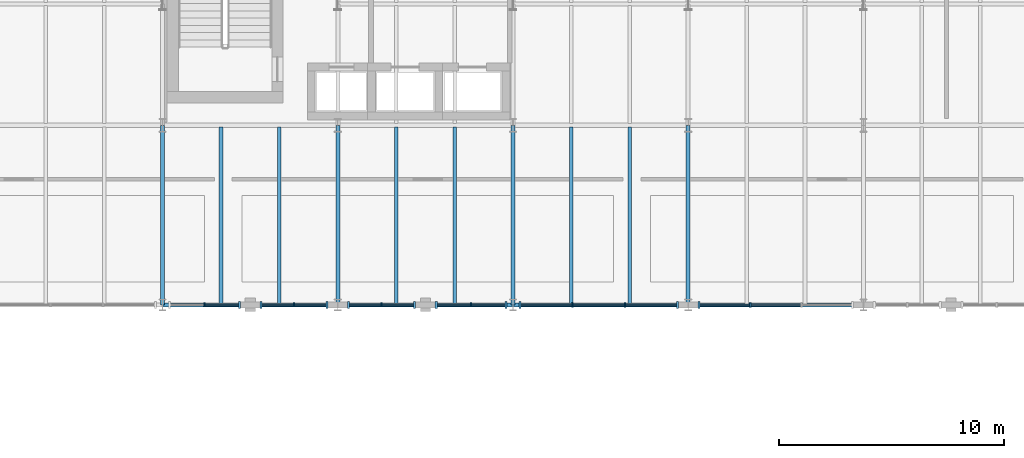
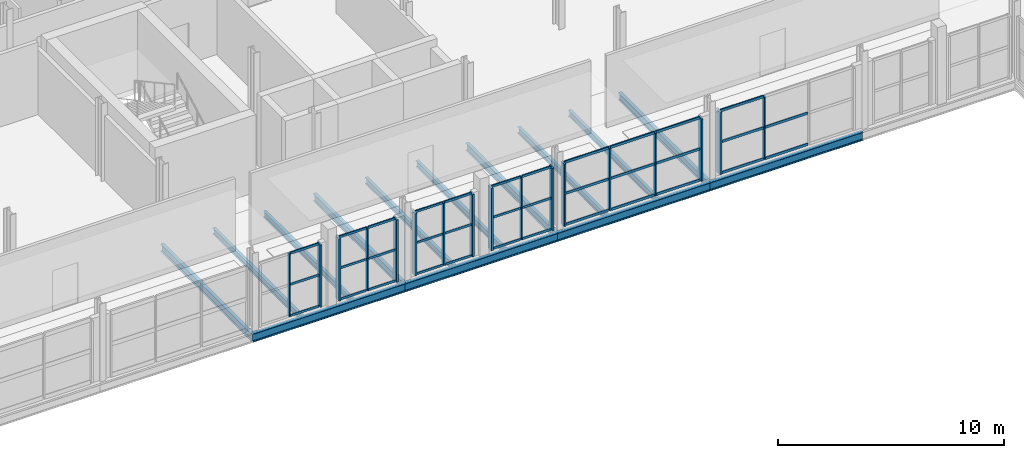
# One storey, part 24 of 58: 52 members, 14 beams, 6 elements without a shape of their own.
"""IFC4 building model written with IfcOpenShell, lengths in metres."""

import ifcopenshell
import ifcopenshell.guid

model = None  # the IFC model being written
_history = None  # IfcOwnerHistory: only IFC2X3 demands one
_inside = {}  # id of a spatial element -> (the spatial element, [elements in it])
_under = {}  # id of a project, library or spatial element -> (it, [spatial elements below it])
_declared = {}  # id of a project -> (the project, [libraries it declares])
_typed = {}  # id of a type object -> (the type object, [elements of that type])
_made_of = {}  # id of a material, layer set ... -> (it, [elements and type objects made of it])


def new_model(schema):
    """Start an empty IFC model of exactly this schema.

    Asked for "IFC4X3", IfcOpenShell would pick the latest addendum, in which some entities
    have other attributes; the version numbers below select the first issue.
    IFC2X3 requires an IfcOwnerHistory on every rooted entity: one is made here for all.
    """
    global model, _history
    if schema == "IFC4X3":
        model = ifcopenshell.file(schema_version=(4, 3, 0, 0))
    else:
        model = ifcopenshell.file(schema=schema)
    _inside.clear()
    _under.clear()
    _declared.clear()
    _typed.clear()
    _made_of.clear()
    _history = None
    if model.schema == "IFC2X3":
        org = make("IfcOrganization", Name="unknown")
        user = make(
            "IfcPersonAndOrganization",
            ThePerson=make("IfcPerson", FamilyName="unknown"),
            TheOrganization=org,
        )
        app = make(
            "IfcApplication",
            ApplicationDeveloper=org,
            Version="unknown",
            ApplicationFullName="unknown",
            ApplicationIdentifier="unknown",
        )
        _history = make(
            "IfcOwnerHistory",
            OwningUser=user,
            OwningApplication=app,
            ChangeAction="ADDED",
            CreationDate=0,
        )
    return model


def make(cls, **values):
    """One entity of the class cls with the attributes given. An attribute that is None is left unset."""
    return model.create_entity(
        cls, **{name: value for name, value in values.items() if value is not None}
    )


def rooted(cls, **values):
    """An entity with a GlobalId (a new one), such as an element, a storey or a relation."""
    return make(cls, GlobalId=ifcopenshell.guid.new(), OwnerHistory=_history, **values)


def si_unit(unit_type, name, prefix=None):
    """IfcSIUnit, for example si_unit("LENGTHUNIT", "METRE", prefix="MILLI")."""
    return make("IfcSIUnit", UnitType=unit_type, Prefix=prefix, Name=name)


def assignment(units):
    """IfcUnitAssignment: the units of a project."""
    return None if units is None else make("IfcUnitAssignment", Units=units)


def point(xyz):
    """IfcCartesianPoint."""
    return None if xyz is None else make("IfcCartesianPoint", Coordinates=xyz)


def direction(xyz):
    """IfcDirection."""
    return None if xyz is None else make("IfcDirection", DirectionRatios=xyz)


def frame(location, z_axis=None, x_axis=None):
    """IfcAxis2Placement3D, a coordinate frame: its origin and axes. An axis left out is left unset."""
    return make(
        "IfcAxis2Placement3D",
        Location=point(location),
        Axis=direction(z_axis),
        RefDirection=direction(x_axis),
    )


def frame_2d(location, x_axis=None):
    """IfcAxis2Placement2D, a coordinate frame in the plane: its origin and x axis."""
    return make(
        "IfcAxis2Placement2D", Location=point(location), RefDirection=direction(x_axis)
    )


def origin():
    """The frame at (0, 0, 0) with its axes left unset."""
    return frame((0.0, 0.0, 0.0))


def origin_2d():
    """The frame at (0, 0) in the plane with its x axis left unset."""
    return frame_2d((0.0, 0.0))


def place(relative_to, where):
    """IfcLocalPlacement: puts the frame where relative to a parent placement (None: the world)."""
    return make(
        "IfcLocalPlacement", PlacementRelTo=relative_to, RelativePlacement=where
    )


def context(
    kind, dimensions, precision=None, world=None, true_north=None, identifier=None
):
    """IfcGeometricRepresentationContext, for example the 3D "Model" context."""
    return make(
        "IfcGeometricRepresentationContext",
        ContextIdentifier=identifier,
        ContextType=kind,
        CoordinateSpaceDimension=dimensions,
        Precision=precision,
        WorldCoordinateSystem=world,
        TrueNorth=true_north,
    )


def subcontext(parent, identifier, kind, view, scale=None):
    """IfcGeometricRepresentationSubContext, for example "Body" below "Model"."""
    return make(
        "IfcGeometricRepresentationSubContext",
        ContextIdentifier=identifier,
        ContextType=kind,
        ParentContext=parent,
        TargetScale=scale,
        TargetView=view,
    )


def project(units=None, contexts=None):
    """IfcProject with its units and contexts."""
    return rooted(
        "IfcProject",
        Name="project",
        RepresentationContexts=contexts,
        UnitsInContext=assignment(units),
    )


def spatial(cls, under=None, at=None, **own):
    """A site, building, storey or space (cls), placed at a placement, below another one or the project."""
    s = rooted(cls, ObjectPlacement=at, **own)
    if under is not None:
        _under.setdefault(under.id(), (under, []))[1].append(s)
    return s


def profile(cls, at=None, kind="AREA", **sizes):
    """A parametric profile (cls). Its sizes go by their IFC names, for example OverallWidth=200.0."""
    return make(cls, ProfileType=kind, Position=at, **sizes)


def rectangle(**sizes):
    """IfcRectangleProfileDef."""
    return profile("IfcRectangleProfileDef", **sizes)


def i_section(**sizes):
    """IfcIShapeProfileDef."""
    return profile("IfcIShapeProfileDef", **sizes)


def extrude(swept, where, along, depth):
    """IfcExtrudedAreaSolid: the profile swept, set in the frame where, extruded along a direction by depth."""
    return make(
        "IfcExtrudedAreaSolid",
        SweptArea=swept,
        Position=where,
        ExtrudedDirection=direction(along),
        Depth=depth,
    )


def shape(context_of_items, identifier, shape_type, items):
    """IfcShapeRepresentation: the items that make up one representation, for example the "Body"."""
    return make(
        "IfcShapeRepresentation",
        ContextOfItems=context_of_items,
        RepresentationIdentifier=identifier,
        RepresentationType=shape_type,
        Items=items,
    )


def material(Name=None, Category=None):
    """IfcMaterial."""
    return make("IfcMaterial", Name=Name, Category=Category)


def layer(
    of_material, thickness, ventilated=None, Name=None, Category=None, Priority=None
):
    """IfcMaterialLayer: one layer of a wall or slab, of a material (None: an air gap)."""
    return make(
        "IfcMaterialLayer",
        Material=of_material,
        LayerThickness=thickness,
        IsVentilated=ventilated,
        Name=Name,
        Category=Category,
        Priority=Priority,
    )


def layer_set(layers, Name=None):
    """IfcMaterialLayerSet."""
    return make("IfcMaterialLayerSet", MaterialLayers=layers, LayerSetName=Name)


def material_profile(
    of_material, cross_section, Name=None, Category=None, Priority=None
):
    """IfcMaterialProfile: a cross section and its material."""
    return make(
        "IfcMaterialProfile",
        Name=Name,
        Material=of_material,
        Profile=cross_section,
        Priority=Priority,
        Category=Category,
    )


def profile_set(profiles, Name=None, composite=None):
    """IfcMaterialProfileSet."""
    return make(
        "IfcMaterialProfileSet",
        Name=Name,
        MaterialProfiles=profiles,
        CompositeProfile=composite,
    )


def made_of(thing, what):
    """Note that an element or type object is made of a material, layer set ...; save() writes the relation."""
    if what is not None:
        _made_of.setdefault(what.id(), (what, []))[1].append(thing)
    return thing


def type_object(cls, material=None, **own):
    """A type object (cls), such as IfcWallType, which elements share."""
    return made_of(rooted(cls, **own), material)


def element(
    cls,
    number,
    at=None,
    inside=None,
    cuts=None,
    type_object=None,
    material=None,
    context=None,
    identifier="Body",
    shape_type=None,
    held_by="IfcProductDefinitionShape",
    body=None,
    shapes=None,
    **own,
):
    """One element of the class cls, such as IfcWall. Its Tag is "e" and its number.

    at: its placement. inside: the storey or other place that contains it. cuts: it is an
    opening in that element (IfcRelVoidsElement). A single representation is given by context,
    identifier, shape_type and body (its items); several are given by shapes. held_by: the class
    of the entity that holds the representations. save() writes the other relations.
    """
    e = rooted(cls, Tag="e%d" % number, ObjectPlacement=at, **own)
    if body is not None:
        shapes = [shape(context, identifier, shape_type, body)]
    if shapes is not None:
        e.Representation = make(held_by, Representations=shapes)
    if inside is not None:
        _inside.setdefault(inside.id(), (inside, []))[1].append(e)
    if cuts is not None:
        rooted(
            "IfcRelVoidsElement", RelatingBuildingElement=cuts, RelatedOpeningElement=e
        )
    if type_object is not None:
        _typed.setdefault(type_object.id(), (type_object, []))[1].append(e)
    return made_of(e, material)


def aggregate(whole, parts):
    """IfcRelAggregates: a whole, such as a stair, and the parts it consists of."""
    return rooted("IfcRelAggregates", RelatingObject=whole, RelatedObjects=parts)


def save(model, path):
    """Write the relations noted so far, then the file.

    IfcRelAggregates (storeys below a building ...), IfcRelContainedInSpatialStructure (elements
    in a storey), IfcRelDefinesByType, IfcRelAssociatesMaterial and IfcRelDeclares: one each for
    every whole, place, type object, material and project.
    """
    for whole, parts in _under.values():
        aggregate(whole, parts)
    for where, things in _inside.values():
        rooted(
            "IfcRelContainedInSpatialStructure",
            RelatedElements=things,
            RelatingStructure=where,
        )
    for kind, things in _typed.values():
        rooted("IfcRelDefinesByType", RelatedObjects=things, RelatingType=kind)
    for what, things in _made_of.values():
        rooted("IfcRelAssociatesMaterial", RelatedObjects=things, RelatingMaterial=what)
    for by, libraries in _declared.values():
        rooted("IfcRelDeclares", RelatingContext=by, RelatedDefinitions=libraries)
    model.write(path)


model = new_model("IFC4")

# Units and contexts
model_context = context("Model", 3, precision=1e-05, world=origin(), true_north=direction((0.0, 1.0)))
body_context = subcontext(model_context, "Body", "Model", "MODEL_VIEW")
ifc_project = project(units=[si_unit("LENGTHUNIT", "METRE"), si_unit("AREAUNIT", "SQUARE_METRE"), si_unit("VOLUMEUNIT", "CUBIC_METRE"), si_unit("PLANEANGLEUNIT", "RADIAN"), si_unit("MASSUNIT", "GRAM", prefix="KILO")], contexts=[model_context])

# Site, building, storey
site_placement = place(None, origin())
site = spatial("IfcSite", under=ifc_project, at=site_placement, CompositionType="ELEMENT")
building_placement = place(site_placement, origin())
building = spatial("IfcBuilding", under=site, at=building_placement, Name="Sefraquen Railside Congress Hotel", CompositionType="ELEMENT")
storey_placement = place(building_placement, frame((0.0, 0.0, 16.199951171875)))
storey = spatial("IfcBuildingStorey", under=building, at=storey_placement, Name="L03", CompositionType="ELEMENT", Elevation=16.199951171875)

# Beams
ifc_material_1 = material(Name="Steel S355JR", Category="steel")
ifc_material_profile_1 = material_profile(ifc_material_1, i_section(OverallWidth=0.179931640625, OverallDepth=0.39990234375, WebThickness=0.008544921875, FlangeThickness=0.013427734375, FilletRadius=0.02099609375, at=origin_2d()), Name="IPE 400")
ifc_profile_set_1 = profile_set([ifc_material_profile_1], Name="Steel S355JR")
beam_type_1 = type_object("IfcBeamType", Name="TB-BM-400I", PredefinedType="BEAM", material=ifc_profile_set_1)
for number, where, z_axis, x_axis, name in (
    (1, (64.199951171875, 88.0, -0.47998046875), (0.0, 1.0, 0.0), (-1.0, 0.0, 0.0), "Floor beam BM-L03-1190"),
    (2, (72.0, 88.0, -0.47998046875), (0.0, 1.0, 0.0), (-1.0, 0.0, 0.0), "Floor beam BM-L03-1194"),
    (3, (79.800048828125, 88.0, -0.47998046875), (0.0, 1.0, 0.0), (-1.0, 0.0, 0.0), "Floor beam BM-L03-1199"),
    (4, (87.60009765625, 88.0, -0.47998046875), (0.0, 1.0, 0.0), (-1.0, 0.0, 0.0), "Floor beam BM-L03-1207"),
):
    element("IfcBeam", number, at=place(storey_placement, frame(where, z_axis=z_axis, x_axis=x_axis)), inside=storey, type_object=beam_type_1, Name=name, PredefinedType="BEAM", context=body_context, shape_type="SweptSolid", body=[
        extrude(i_section(OverallWidth=0.179931640625, OverallDepth=0.39990234375, WebThickness=0.008544921875, FlangeThickness=0.013427734375, FilletRadius=0.02099609375, at=origin_2d()), origin(), (0.0, 0.0, 1.0), 8.0),
    ])
ifc_material_profile_2 = material_profile(ifc_material_1, i_section(OverallWidth=0.18994140625, OverallDepth=0.449951171875, WebThickness=0.009521484375, FlangeThickness=0.0146484375, FilletRadius=0.02099609375, at=origin_2d()), Name="IPE 450")
ifc_profile_set_2 = profile_set([ifc_material_profile_2], Name="Steel S355JR")
beam_type_2 = type_object("IfcBeamType", Name="TB-BM-450", PredefinedType="BEAM", material=ifc_profile_set_2)
for number, where, z_axis, x_axis, name in (
    (5, (64.199951171875, 88.0, -0.5048828125), (1.0, 0.0, 0.0), (0.0, 1.0, 0.0), "Primary girder BM-L03-1062"),
    (6, (72.0, 88.0, -0.5048828125), (1.0, 0.0, 0.0), (0.0, 1.0, 0.0), "Primary girder BM-L03-1063"),
    (7, (79.800048828125, 88.0, -0.5048828125), (1.0, 0.0, 0.0), (0.0, 1.0, 0.0), "Primary girder BM-L03-1064"),
):
    element("IfcBeam", number, at=place(storey_placement, frame(where, z_axis=z_axis, x_axis=x_axis)), inside=storey, type_object=beam_type_2, Name=name, PredefinedType="BEAM", context=body_context, shape_type="SweptSolid", body=[
        extrude(i_section(OverallWidth=0.18994140625, OverallDepth=0.449951171875, WebThickness=0.009521484375, FlangeThickness=0.0146484375, FilletRadius=0.02099609375, at=origin_2d()), origin(), (0.0, 0.0, 1.0), 7.800048828125),
    ])
beam_placement = place(storey_placement, frame((87.60009765625, 88.0, -0.5048828125), z_axis=(1.0, 0.0, 0.0), x_axis=(0.0, 1.0, 0.0)))
element("IfcBeam", 8, at=beam_placement, inside=storey, type_object=beam_type_2, Name="Primary girder BM-L03-1065", PredefinedType="BEAM", context=body_context, shape_type="SweptSolid", body=[
    extrude(i_section(OverallWidth=0.18994140625, OverallDepth=0.449951171875, WebThickness=0.009521484375, FlangeThickness=0.0146484375, FilletRadius=0.02099609375, at=origin_2d()), origin(), (0.0, 0.0, 1.0), 7.7998046875),
])
ifc_material_profile_3 = material_profile(ifc_material_1, i_section(OverallWidth=0.159912109375, OverallDepth=0.330078125, WebThickness=0.007568359375, FlangeThickness=0.011474609375, FilletRadius=0.01806640625, at=origin_2d()), Name="IPE 330")
ifc_profile_set_3 = profile_set([ifc_material_profile_3], Name="Steel S355JR")
beam_type_3 = type_object("IfcBeamType", Name="TB-JST-330", PredefinedType="JOIST", material=ifc_profile_set_3)
for number, where, z_axis, x_axis, name in (
    (9, (66.800048828125, 88.074951171875, -0.445068359375), (0.0, 1.0, 0.0), (-1.0, 0.0, 0.0), "Composite floor joist BM-L03-J0746"),
    (10, (69.39990234375, 88.074951171875, -0.445068359375), (0.0, 1.0, 0.0), (-1.0, 0.0, 0.0), "Composite floor joist BM-L03-J0747"),
    (11, (74.60009765625, 88.074951171875, -0.445068359375), (0.0, 1.0, 0.0), (-1.0, 0.0, 0.0), "Composite floor joist BM-L03-J0750"),
    (12, (77.199951171875, 88.074951171875, -0.445068359375), (0.0, 1.0, 0.0), (-1.0, 0.0, 0.0), "Composite floor joist BM-L03-J0751"),
    (13, (82.39990234375, 88.074951171875, -0.445068359375), (0.0, 1.0, 0.0), (-1.0, 0.0, 0.0), "Composite floor joist BM-L03-J0760"),
    (14, (85.0, 88.074951171875, -0.445068359375), (0.0, 1.0, 0.0), (-1.0, 0.0, 0.0), "Composite floor joist BM-L03-J0761"),
):
    element("IfcBeam", number, at=place(storey_placement, frame(where, z_axis=z_axis, x_axis=x_axis)), inside=storey, type_object=beam_type_3, Name=name, PredefinedType="JOIST", context=body_context, shape_type="SweptSolid", body=[
        extrude(i_section(OverallWidth=0.159912109375, OverallDepth=0.330078125, WebThickness=0.007568359375, FlangeThickness=0.011474609375, FilletRadius=0.01806640625, at=origin_2d()), origin(), (0.0, 0.0, 1.0), 7.85009765625),
    ])

# Curtain wall, member
ifc_material_2 = material(Name="Thermally broken anodised aluminium and low-E double glazing", Category="aluminium")
ifc_layer_1 = layer(ifc_material_2, 0.199951171875)
ifc_layer_set_1 = layer_set([ifc_layer_1], Name="Thermally broken anodised aluminium and low-E double glazing")
curtain_wall_type_1 = type_object("IfcCurtainWallType", Name="TCW-UCW-01", PredefinedType="USERDEFINED", material=ifc_layer_set_1)
curtain_wall_1_placement = place(storey_placement, origin())
curtain_wall_1 = element("IfcCurtainWall", 15, at=curtain_wall_1_placement, inside=storey, type_object=curtain_wall_type_1, Name="Meeting Wing L03 courtyard north curtain wall 2", ObjectType="UNITISED CURTAIN WALL", PredefinedType="USERDEFINED")
ifc_material_3 = material(Name="Thermally broken anodised aluminium 6063-T6", Category="aluminium")
ifc_material_profile_4 = material_profile(ifc_material_3, rectangle(XDim=0.06494140625, YDim=0.179931640625, at=origin_2d()), Name="CWM 65x180")
ifc_profile_set_4 = profile_set([ifc_material_profile_4], Name="Thermally broken anodised aluminium 6063-T6")
member_type_1 = type_object("IfcMemberType", Name="TM-CWM-02", PredefinedType="MULLION", material=ifc_profile_set_4)
member_1_placement = place(storey_placement, frame((66.06494140625, 88.0, 0.0), z_axis=(0.0, 0.0, 1.0), x_axis=(1.0, 0.0, 0.0)))
member_1 = element("IfcMember", 16, at=member_1_placement, type_object=member_type_1, Name="CW-L03-065 mullion 2", PredefinedType="MULLION", context=body_context, shape_type="SweptSolid", body=[
    extrude(rectangle(XDim=0.06494140625, YDim=0.179931640625, at=origin_2d()), origin(), (0.0, 0.0, 1.0), 3.3701171875),
])

curtain_wall_2_placement = place(storey_placement, origin())
curtain_wall_2 = element("IfcCurtainWall", 17, at=curtain_wall_2_placement, inside=storey, type_object=curtain_wall_type_1, Name="Meeting Wing L03 courtyard north curtain wall 2 bay 2", ObjectType="UNITISED CURTAIN WALL", PredefinedType="USERDEFINED")
member_2_placement = place(storey_placement, frame((70.050048828125, 88.0, 0.0), z_axis=(0.0, 0.0, 1.0), x_axis=(1.0, 0.0, 0.0)))
member_2 = element("IfcMember", 18, at=member_2_placement, type_object=member_type_1, Name="CW-L03-065-S2 mullion 2", PredefinedType="MULLION", context=body_context, shape_type="SweptSolid", body=[
    extrude(rectangle(XDim=0.06494140625, YDim=0.179931640625, at=origin_2d()), origin(), (0.0, 0.0, 1.0), 3.3701171875),
])

curtain_wall_3_placement = place(storey_placement, origin())
curtain_wall_3 = element("IfcCurtainWall", 19, at=curtain_wall_3_placement, inside=storey, type_object=curtain_wall_type_1, Name="Meeting Wing L03 courtyard north curtain wall 2 bay 3", ObjectType="UNITISED CURTAIN WALL", PredefinedType="USERDEFINED")
member_3_placement = place(storey_placement, frame((73.949951171875, 88.0, 0.0), z_axis=(0.0, 0.0, 1.0), x_axis=(1.0, 0.0, 0.0)))
member_3 = element("IfcMember", 20, at=member_3_placement, type_object=member_type_1, Name="CW-L03-065-S3 mullion 2", PredefinedType="MULLION", context=body_context, shape_type="SweptSolid", body=[
    extrude(rectangle(XDim=0.06494140625, YDim=0.179931640625, at=origin_2d()), origin(), (0.0, 0.0, 1.0), 3.3701171875),
])

curtain_wall_4_placement = place(storey_placement, origin())
curtain_wall_4 = element("IfcCurtainWall", 21, at=curtain_wall_4_placement, inside=storey, type_object=curtain_wall_type_1, Name="Meeting Wing L03 courtyard north curtain wall 2 bay 4", ObjectType="UNITISED CURTAIN WALL", PredefinedType="USERDEFINED")
member_4_placement = place(storey_placement, frame((77.93505859375, 88.0, 0.0), z_axis=(0.0, 0.0, 1.0), x_axis=(1.0, 0.0, 0.0)))
member_4 = element("IfcMember", 22, at=member_4_placement, type_object=member_type_1, Name="CW-L03-065-S4 mullion 2", PredefinedType="MULLION", context=body_context, shape_type="SweptSolid", body=[
    extrude(rectangle(XDim=0.06494140625, YDim=0.179931640625, at=origin_2d()), origin(), (0.0, 0.0, 1.0), 3.3701171875),
])

# Curtain wall, members
ifc_layer_2 = layer(ifc_material_2, 0.199951171875)
ifc_layer_set_2 = layer_set([ifc_layer_2], Name="Thermally broken anodised aluminium and low-E double glazing")
curtain_wall_type_2 = type_object("IfcCurtainWallType", Name="TCW-UCW-02", PredefinedType="USERDEFINED", material=ifc_layer_set_2)
curtain_wall_5_placement = place(storey_placement, origin())
curtain_wall_5 = element("IfcCurtainWall", 23, at=curtain_wall_5_placement, inside=storey, type_object=curtain_wall_type_2, Name="Meeting Wing L03 courtyard north curtain wall 3", ObjectType="UNITISED CURTAIN WALL", PredefinedType="USERDEFINED")
ifc_material_profile_5 = material_profile(ifc_material_3, rectangle(XDim=0.070068359375, YDim=0.199951171875, at=origin_2d()), Name="CWM 70x200")
ifc_profile_set_5 = profile_set([ifc_material_profile_5], Name="Thermally broken anodised aluminium 6063-T6")
member_type_2 = type_object("IfcMemberType", Name="TM-CWM-03", PredefinedType="MULLION", material=ifc_profile_set_5)
member_5_placement = place(storey_placement, frame((82.44677734375, 88.0, 0.0), z_axis=(0.0, 0.0, 1.0), x_axis=(1.0, 0.0, 0.0)))
member_5 = element("IfcMember", 24, at=member_5_placement, type_object=member_type_2, Name="CW-L03-066 mullion 2", PredefinedType="MULLION", context=body_context, shape_type="SweptSolid", body=[
    extrude(rectangle(XDim=0.070068359375, YDim=0.199951171875, at=origin_2d()), origin(), (0.0, 0.0, 1.0), 3.3701171875),
])
member_6_placement = place(storey_placement, frame((84.783203125, 88.0, 0.0), z_axis=(0.0, 0.0, 1.0), x_axis=(1.0, 0.0, 0.0)))
member_6 = element("IfcMember", 25, at=member_6_placement, type_object=member_type_2, Name="CW-L03-066 mullion 3", PredefinedType="MULLION", context=body_context, shape_type="SweptSolid", body=[
    extrude(rectangle(XDim=0.070068359375, YDim=0.199951171875, at=origin_2d()), origin(), (0.0, 0.0, 1.0), 3.3701171875),
])

# Curtain wall, member
curtain_wall_6_placement = place(storey_placement, origin())
curtain_wall_6 = element("IfcCurtainWall", 26, at=curtain_wall_6_placement, inside=storey, type_object=curtain_wall_type_2, Name="Meeting Wing L03 courtyard north curtain wall 3 bay 2", ObjectType="UNITISED CURTAIN WALL", PredefinedType="USERDEFINED")
member_7_placement = place(storey_placement, frame((90.360107421875, 88.0, 0.0), z_axis=(0.0, 0.0, 1.0), x_axis=(1.0, 0.0, 0.0)))
member_7 = element("IfcMember", 27, at=member_7_placement, type_object=member_type_2, Name="CW-L03-066-S2 mullion 2", PredefinedType="MULLION", context=body_context, shape_type="SweptSolid", body=[
    extrude(rectangle(XDim=0.070068359375, YDim=0.199951171875, at=origin_2d()), origin(), (0.0, 0.0, 1.0), 3.3701171875),
])

# Member
ifc_material_profile_6 = material_profile(ifc_material_3, rectangle(XDim=0.094970703125, YDim=0.300048828125, at=origin_2d()), Name="CWM 95x300")
ifc_profile_set_6 = profile_set([ifc_material_profile_6], Name="Thermally broken anodised aluminium 6063-T6")
member_type_3 = type_object("IfcMemberType", Name="TM-CWM-08", PredefinedType="MULLION", material=ifc_profile_set_6)
member_8_placement = place(storey_placement, frame((67.6201171875, 88.0, 0.0), z_axis=(0.0, 0.0, 1.0), x_axis=(1.0, 0.0, 0.0)))
member_8 = element("IfcMember", 28, at=member_8_placement, type_object=member_type_3, Name="CW-L03-065 mullion 3", PredefinedType="MULLION", context=body_context, shape_type="SweptSolid", body=[
    extrude(rectangle(XDim=0.094970703125, YDim=0.300048828125, at=origin_2d()), origin(), (0.0, 0.0, 1.0), 3.3701171875),
])

member_9_placement = place(storey_placement, frame((68.580078125, 88.0, 0.0), z_axis=(0.0, 0.0, 1.0), x_axis=(1.0, 0.0, 0.0)))
member_9 = element("IfcMember", 29, at=member_9_placement, type_object=member_type_3, Name="CW-L03-065-S2 mullion 1", PredefinedType="MULLION", context=body_context, shape_type="SweptSolid", body=[
    extrude(rectangle(XDim=0.094970703125, YDim=0.300048828125, at=origin_2d()), origin(), (0.0, 0.0, 1.0), 3.3701171875),
])

member_10_placement = place(storey_placement, frame((71.52001953125, 88.0, 0.0), z_axis=(0.0, 0.0, 1.0), x_axis=(1.0, 0.0, 0.0)))
member_10 = element("IfcMember", 30, at=member_10_placement, type_object=member_type_3, Name="CW-L03-065-S2 mullion 3", PredefinedType="MULLION", context=body_context, shape_type="SweptSolid", body=[
    extrude(rectangle(XDim=0.094970703125, YDim=0.300048828125, at=origin_2d()), origin(), (0.0, 0.0, 1.0), 3.3701171875),
])

member_11_placement = place(storey_placement, frame((72.47998046875, 88.0, 0.0), z_axis=(0.0, 0.0, 1.0), x_axis=(1.0, 0.0, 0.0)))
member_11 = element("IfcMember", 31, at=member_11_placement, type_object=member_type_3, Name="CW-L03-065-S3 mullion 1", PredefinedType="MULLION", context=body_context, shape_type="SweptSolid", body=[
    extrude(rectangle(XDim=0.094970703125, YDim=0.300048828125, at=origin_2d()), origin(), (0.0, 0.0, 1.0), 3.3701171875),
])

member_12_placement = place(storey_placement, frame((75.419921875, 88.0, 0.0), z_axis=(0.0, 0.0, 1.0), x_axis=(1.0, 0.0, 0.0)))
member_12 = element("IfcMember", 32, at=member_12_placement, type_object=member_type_3, Name="CW-L03-065-S3 mullion 3", PredefinedType="MULLION", context=body_context, shape_type="SweptSolid", body=[
    extrude(rectangle(XDim=0.094970703125, YDim=0.300048828125, at=origin_2d()), origin(), (0.0, 0.0, 1.0), 3.3701171875),
])

member_13_placement = place(storey_placement, frame((76.3798828125, 88.0, 0.0), z_axis=(0.0, 0.0, 1.0), x_axis=(1.0, 0.0, 0.0)))
member_13 = element("IfcMember", 33, at=member_13_placement, type_object=member_type_3, Name="CW-L03-065-S4 mullion 1", PredefinedType="MULLION", context=body_context, shape_type="SweptSolid", body=[
    extrude(rectangle(XDim=0.094970703125, YDim=0.300048828125, at=origin_2d()), origin(), (0.0, 0.0, 1.0), 3.3701171875),
])

member_14_placement = place(storey_placement, frame((79.489990234375, 88.0, 0.0), z_axis=(0.0, 0.0, 1.0), x_axis=(1.0, 0.0, 0.0)))
member_14 = element("IfcMember", 34, at=member_14_placement, type_object=member_type_3, Name="CW-L03-065-S4 mullion 3", PredefinedType="MULLION", context=body_context, shape_type="SweptSolid", body=[
    extrude(rectangle(XDim=0.094970703125, YDim=0.300048828125, at=origin_2d()), origin(), (0.0, 0.0, 1.0), 3.3701171875),
])

member_15_placement = place(storey_placement, frame((80.110107421875, 88.0, 0.0), z_axis=(0.0, 0.0, 1.0), x_axis=(1.0, 0.0, 0.0)))
member_15 = element("IfcMember", 35, at=member_15_placement, type_object=member_type_3, Name="CW-L03-066 mullion 1", PredefinedType="MULLION", context=body_context, shape_type="SweptSolid", body=[
    extrude(rectangle(XDim=0.094970703125, YDim=0.300048828125, at=origin_2d()), origin(), (0.0, 0.0, 1.0), 3.3701171875),
])

member_16_placement = place(storey_placement, frame((87.1201171875, 88.0, 0.0), z_axis=(0.0, 0.0, 1.0), x_axis=(1.0, 0.0, 0.0)))
member_16 = element("IfcMember", 36, at=member_16_placement, type_object=member_type_3, Name="CW-L03-066 mullion 4", PredefinedType="MULLION", context=body_context, shape_type="SweptSolid", body=[
    extrude(rectangle(XDim=0.094970703125, YDim=0.300048828125, at=origin_2d()), origin(), (0.0, 0.0, 1.0), 3.3701171875),
])

member_17_placement = place(storey_placement, frame((88.080078125, 88.0, 0.0), z_axis=(0.0, 0.0, 1.0), x_axis=(1.0, 0.0, 0.0)))
member_17 = element("IfcMember", 37, at=member_17_placement, type_object=member_type_3, Name="CW-L03-066-S2 mullion 1", PredefinedType="MULLION", context=body_context, shape_type="SweptSolid", body=[
    extrude(rectangle(XDim=0.094970703125, YDim=0.300048828125, at=origin_2d()), origin(), (0.0, 0.0, 1.0), 3.3701171875),
])

ifc_material_profile_7 = material_profile(ifc_material_3, rectangle(XDim=0.06005859375, YDim=0.1201171875, at=origin_2d()), Name="CWT 60x120")
ifc_profile_set_7 = profile_set([ifc_material_profile_7], Name="Thermally broken anodised aluminium 6063-T6")
member_type_4 = type_object("IfcMemberType", Name="TM-CWT-01", PredefinedType="USERDEFINED", material=ifc_profile_set_7)
member_18_placement = place(storey_placement, frame((66.110107421875, 88.0, 0.0), z_axis=(1.0, 0.0, 0.0), x_axis=(0.0, 1.0, 0.0)))
member_18 = element("IfcMember", 38, at=member_18_placement, type_object=member_type_4, Name="CW-L03-065 transom 1.2", ObjectType="TRANSOM", PredefinedType="USERDEFINED", context=body_context, shape_type="SweptSolid", body=[
    extrude(rectangle(XDim=0.06005859375, YDim=0.1201171875, at=origin_2d()), origin(), (0.0, 0.0, 1.0), 1.46484375),
])

member_19_placement = place(storey_placement, frame((66.110107421875, 88.0, 1.68505859375), z_axis=(1.0, 0.0, 0.0), x_axis=(0.0, 1.0, 0.0)))
member_19 = element("IfcMember", 39, at=member_19_placement, type_object=member_type_4, Name="CW-L03-065 transom 2.2", ObjectType="TRANSOM", PredefinedType="USERDEFINED", context=body_context, shape_type="SweptSolid", body=[
    extrude(rectangle(XDim=0.06005859375, YDim=0.1201171875, at=origin_2d()), origin(), (0.0, 0.0, 1.0), 1.46484375),
])

member_20_placement = place(storey_placement, frame((66.110107421875, 88.0, 3.3701171875), z_axis=(1.0, 0.0, 0.0), x_axis=(0.0, 1.0, 0.0)))
member_20 = element("IfcMember", 40, at=member_20_placement, type_object=member_type_4, Name="CW-L03-065 transom 3.2", ObjectType="TRANSOM", PredefinedType="USERDEFINED", context=body_context, shape_type="SweptSolid", body=[
    extrude(rectangle(XDim=0.06005859375, YDim=0.1201171875, at=origin_2d()), origin(), (0.0, 0.0, 1.0), 1.46484375),
])

aggregate(curtain_wall_1, [member_1, member_8, member_18, member_19, member_20])

member_21_placement = place(storey_placement, frame((68.625, 88.0, 0.0), z_axis=(1.0, 0.0, 0.0), x_axis=(0.0, 1.0, 0.0)))
member_21 = element("IfcMember", 41, at=member_21_placement, type_object=member_type_4, Name="CW-L03-065-S2 transom 1.1", ObjectType="TRANSOM", PredefinedType="USERDEFINED", context=body_context, shape_type="SweptSolid", body=[
    extrude(rectangle(XDim=0.06005859375, YDim=0.1201171875, at=origin_2d()), origin(), (0.0, 0.0, 1.0), 1.3798828125),
])

member_22_placement = place(storey_placement, frame((70.094970703125, 88.0, 0.0), z_axis=(1.0, 0.0, 0.0), x_axis=(0.0, 1.0, 0.0)))
member_22 = element("IfcMember", 42, at=member_22_placement, type_object=member_type_4, Name="CW-L03-065-S2 transom 1.2", ObjectType="TRANSOM", PredefinedType="USERDEFINED", context=body_context, shape_type="SweptSolid", body=[
    extrude(rectangle(XDim=0.06005859375, YDim=0.1201171875, at=origin_2d()), origin(), (0.0, 0.0, 1.0), 1.380126953125),
])

member_23_placement = place(storey_placement, frame((68.625, 88.0, 1.68505859375), z_axis=(1.0, 0.0, 0.0), x_axis=(0.0, 1.0, 0.0)))
member_23 = element("IfcMember", 43, at=member_23_placement, type_object=member_type_4, Name="CW-L03-065-S2 transom 2.1", ObjectType="TRANSOM", PredefinedType="USERDEFINED", context=body_context, shape_type="SweptSolid", body=[
    extrude(rectangle(XDim=0.06005859375, YDim=0.1201171875, at=origin_2d()), origin(), (0.0, 0.0, 1.0), 1.3798828125),
])

member_24_placement = place(storey_placement, frame((70.094970703125, 88.0, 1.68505859375), z_axis=(1.0, 0.0, 0.0), x_axis=(0.0, 1.0, 0.0)))
member_24 = element("IfcMember", 44, at=member_24_placement, type_object=member_type_4, Name="CW-L03-065-S2 transom 2.2", ObjectType="TRANSOM", PredefinedType="USERDEFINED", context=body_context, shape_type="SweptSolid", body=[
    extrude(rectangle(XDim=0.06005859375, YDim=0.1201171875, at=origin_2d()), origin(), (0.0, 0.0, 1.0), 1.380126953125),
])

member_25_placement = place(storey_placement, frame((68.625, 88.0, 3.3701171875), z_axis=(1.0, 0.0, 0.0), x_axis=(0.0, 1.0, 0.0)))
member_25 = element("IfcMember", 45, at=member_25_placement, type_object=member_type_4, Name="CW-L03-065-S2 transom 3.1", ObjectType="TRANSOM", PredefinedType="USERDEFINED", context=body_context, shape_type="SweptSolid", body=[
    extrude(rectangle(XDim=0.06005859375, YDim=0.1201171875, at=origin_2d()), origin(), (0.0, 0.0, 1.0), 1.3798828125),
])

member_26_placement = place(storey_placement, frame((70.094970703125, 88.0, 3.3701171875), z_axis=(1.0, 0.0, 0.0), x_axis=(0.0, 1.0, 0.0)))
member_26 = element("IfcMember", 46, at=member_26_placement, type_object=member_type_4, Name="CW-L03-065-S2 transom 3.2", ObjectType="TRANSOM", PredefinedType="USERDEFINED", context=body_context, shape_type="SweptSolid", body=[
    extrude(rectangle(XDim=0.06005859375, YDim=0.1201171875, at=origin_2d()), origin(), (0.0, 0.0, 1.0), 1.380126953125),
])

aggregate(curtain_wall_2, [member_9, member_2, member_10, member_21, member_22, member_23, member_24, member_25, member_26])

member_27_placement = place(storey_placement, frame((72.52490234375, 88.0, 0.0), z_axis=(1.0, 0.0, 0.0), x_axis=(0.0, 1.0, 0.0)))
member_27 = element("IfcMember", 47, at=member_27_placement, type_object=member_type_4, Name="CW-L03-065-S3 transom 1.1", ObjectType="TRANSOM", PredefinedType="USERDEFINED", context=body_context, shape_type="SweptSolid", body=[
    extrude(rectangle(XDim=0.06005859375, YDim=0.1201171875, at=origin_2d()), origin(), (0.0, 0.0, 1.0), 1.380126953125),
])

member_28_placement = place(storey_placement, frame((73.9951171875, 88.0, 0.0), z_axis=(1.0, 0.0, 0.0), x_axis=(0.0, 1.0, 0.0)))
member_28 = element("IfcMember", 48, at=member_28_placement, type_object=member_type_4, Name="CW-L03-065-S3 transom 1.2", ObjectType="TRANSOM", PredefinedType="USERDEFINED", context=body_context, shape_type="SweptSolid", body=[
    extrude(rectangle(XDim=0.06005859375, YDim=0.1201171875, at=origin_2d()), origin(), (0.0, 0.0, 1.0), 1.3798828125),
])

member_29_placement = place(storey_placement, frame((72.52490234375, 88.0, 1.68505859375), z_axis=(1.0, 0.0, 0.0), x_axis=(0.0, 1.0, 0.0)))
member_29 = element("IfcMember", 49, at=member_29_placement, type_object=member_type_4, Name="CW-L03-065-S3 transom 2.1", ObjectType="TRANSOM", PredefinedType="USERDEFINED", context=body_context, shape_type="SweptSolid", body=[
    extrude(rectangle(XDim=0.06005859375, YDim=0.1201171875, at=origin_2d()), origin(), (0.0, 0.0, 1.0), 1.380126953125),
])

member_30_placement = place(storey_placement, frame((73.9951171875, 88.0, 1.68505859375), z_axis=(1.0, 0.0, 0.0), x_axis=(0.0, 1.0, 0.0)))
member_30 = element("IfcMember", 50, at=member_30_placement, type_object=member_type_4, Name="CW-L03-065-S3 transom 2.2", ObjectType="TRANSOM", PredefinedType="USERDEFINED", context=body_context, shape_type="SweptSolid", body=[
    extrude(rectangle(XDim=0.06005859375, YDim=0.1201171875, at=origin_2d()), origin(), (0.0, 0.0, 1.0), 1.3798828125),
])

member_31_placement = place(storey_placement, frame((72.52490234375, 88.0, 3.3701171875), z_axis=(1.0, 0.0, 0.0), x_axis=(0.0, 1.0, 0.0)))
member_31 = element("IfcMember", 51, at=member_31_placement, type_object=member_type_4, Name="CW-L03-065-S3 transom 3.1", ObjectType="TRANSOM", PredefinedType="USERDEFINED", context=body_context, shape_type="SweptSolid", body=[
    extrude(rectangle(XDim=0.06005859375, YDim=0.1201171875, at=origin_2d()), origin(), (0.0, 0.0, 1.0), 1.380126953125),
])

member_32_placement = place(storey_placement, frame((73.9951171875, 88.0, 3.3701171875), z_axis=(1.0, 0.0, 0.0), x_axis=(0.0, 1.0, 0.0)))
member_32 = element("IfcMember", 52, at=member_32_placement, type_object=member_type_4, Name="CW-L03-065-S3 transom 3.2", ObjectType="TRANSOM", PredefinedType="USERDEFINED", context=body_context, shape_type="SweptSolid", body=[
    extrude(rectangle(XDim=0.06005859375, YDim=0.1201171875, at=origin_2d()), origin(), (0.0, 0.0, 1.0), 1.3798828125),
])

aggregate(curtain_wall_3, [member_11, member_3, member_12, member_27, member_28, member_29, member_30, member_31, member_32])

member_33_placement = place(storey_placement, frame((76.425048828125, 88.0, 0.0), z_axis=(1.0, 0.0, 0.0), x_axis=(0.0, 1.0, 0.0)))
member_33 = element("IfcMember", 53, at=member_33_placement, type_object=member_type_4, Name="CW-L03-065-S4 transom 1.1", ObjectType="TRANSOM", PredefinedType="USERDEFINED", context=body_context, shape_type="SweptSolid", body=[
    extrude(rectangle(XDim=0.06005859375, YDim=0.1201171875, at=origin_2d()), origin(), (0.0, 0.0, 1.0), 1.46484375),
])

member_34_placement = place(storey_placement, frame((77.97998046875, 88.0, 0.0), z_axis=(1.0, 0.0, 0.0), x_axis=(0.0, 1.0, 0.0)))
member_34 = element("IfcMember", 54, at=member_34_placement, type_object=member_type_4, Name="CW-L03-065-S4 transom 1.2", ObjectType="TRANSOM", PredefinedType="USERDEFINED", context=body_context, shape_type="SweptSolid", body=[
    extrude(rectangle(XDim=0.06005859375, YDim=0.1201171875, at=origin_2d()), origin(), (0.0, 0.0, 1.0), 1.465087890625),
])

member_35_placement = place(storey_placement, frame((76.425048828125, 88.0, 1.68505859375), z_axis=(1.0, 0.0, 0.0), x_axis=(0.0, 1.0, 0.0)))
member_35 = element("IfcMember", 55, at=member_35_placement, type_object=member_type_4, Name="CW-L03-065-S4 transom 2.1", ObjectType="TRANSOM", PredefinedType="USERDEFINED", context=body_context, shape_type="SweptSolid", body=[
    extrude(rectangle(XDim=0.06005859375, YDim=0.1201171875, at=origin_2d()), origin(), (0.0, 0.0, 1.0), 1.46484375),
])

member_36_placement = place(storey_placement, frame((77.97998046875, 88.0, 1.68505859375), z_axis=(1.0, 0.0, 0.0), x_axis=(0.0, 1.0, 0.0)))
member_36 = element("IfcMember", 56, at=member_36_placement, type_object=member_type_4, Name="CW-L03-065-S4 transom 2.2", ObjectType="TRANSOM", PredefinedType="USERDEFINED", context=body_context, shape_type="SweptSolid", body=[
    extrude(rectangle(XDim=0.06005859375, YDim=0.1201171875, at=origin_2d()), origin(), (0.0, 0.0, 1.0), 1.465087890625),
])

member_37_placement = place(storey_placement, frame((76.425048828125, 88.0, 3.3701171875), z_axis=(1.0, 0.0, 0.0), x_axis=(0.0, 1.0, 0.0)))
member_37 = element("IfcMember", 57, at=member_37_placement, type_object=member_type_4, Name="CW-L03-065-S4 transom 3.1", ObjectType="TRANSOM", PredefinedType="USERDEFINED", context=body_context, shape_type="SweptSolid", body=[
    extrude(rectangle(XDim=0.06005859375, YDim=0.1201171875, at=origin_2d()), origin(), (0.0, 0.0, 1.0), 1.46484375),
])

member_38_placement = place(storey_placement, frame((77.97998046875, 88.0, 3.3701171875), z_axis=(1.0, 0.0, 0.0), x_axis=(0.0, 1.0, 0.0)))
member_38 = element("IfcMember", 58, at=member_38_placement, type_object=member_type_4, Name="CW-L03-065-S4 transom 3.2", ObjectType="TRANSOM", PredefinedType="USERDEFINED", context=body_context, shape_type="SweptSolid", body=[
    extrude(rectangle(XDim=0.06005859375, YDim=0.1201171875, at=origin_2d()), origin(), (0.0, 0.0, 1.0), 1.465087890625),
])

aggregate(curtain_wall_4, [member_13, member_4, member_14, member_33, member_34, member_35, member_36, member_37, member_38])

ifc_material_profile_8 = material_profile(ifc_material_3, rectangle(XDim=0.06494140625, YDim=0.135009765625, at=origin_2d()), Name="CWT 65x135")
ifc_profile_set_8 = profile_set([ifc_material_profile_8], Name="Thermally broken anodised aluminium 6063-T6")
member_type_5 = type_object("IfcMemberType", Name="TM-CWT-02", PredefinedType="USERDEFINED", material=ifc_profile_set_8)
member_39_placement = place(storey_placement, frame((80.155029296875, 88.0, 0.0), z_axis=(1.0, 0.0, 0.0), x_axis=(0.0, 1.0, 0.0)))
member_39 = element("IfcMember", 59, at=member_39_placement, type_object=member_type_5, Name="CW-L03-066 transom 1.1", ObjectType="TRANSOM", PredefinedType="USERDEFINED", context=body_context, shape_type="SweptSolid", body=[
    extrude(rectangle(XDim=0.06494140625, YDim=0.135009765625, at=origin_2d()), origin(), (0.0, 0.0, 1.0), 2.24658203125),
])

member_40_placement = place(storey_placement, frame((82.49169921875, 88.0, 0.0), z_axis=(1.0, 0.0, 0.0), x_axis=(0.0, 1.0, 0.0)))
member_40 = element("IfcMember", 60, at=member_40_placement, type_object=member_type_5, Name="CW-L03-066 transom 1.2", ObjectType="TRANSOM", PredefinedType="USERDEFINED", context=body_context, shape_type="SweptSolid", body=[
    extrude(rectangle(XDim=0.06494140625, YDim=0.135009765625, at=origin_2d()), origin(), (0.0, 0.0, 1.0), 2.24658203125),
])

member_41_placement = place(storey_placement, frame((84.828369140625, 88.0, 0.0), z_axis=(1.0, 0.0, 0.0), x_axis=(0.0, 1.0, 0.0)))
member_41 = element("IfcMember", 61, at=member_41_placement, type_object=member_type_5, Name="CW-L03-066 transom 1.3", ObjectType="TRANSOM", PredefinedType="USERDEFINED", context=body_context, shape_type="SweptSolid", body=[
    extrude(rectangle(XDim=0.06494140625, YDim=0.135009765625, at=origin_2d()), origin(), (0.0, 0.0, 1.0), 2.24658203125),
])

member_42_placement = place(storey_placement, frame((80.155029296875, 88.0, 1.68505859375), z_axis=(1.0, 0.0, 0.0), x_axis=(0.0, 1.0, 0.0)))
member_42 = element("IfcMember", 62, at=member_42_placement, type_object=member_type_5, Name="CW-L03-066 transom 2.1", ObjectType="TRANSOM", PredefinedType="USERDEFINED", context=body_context, shape_type="SweptSolid", body=[
    extrude(rectangle(XDim=0.06494140625, YDim=0.135009765625, at=origin_2d()), origin(), (0.0, 0.0, 1.0), 2.24658203125),
])

member_43_placement = place(storey_placement, frame((82.49169921875, 88.0, 1.68505859375), z_axis=(1.0, 0.0, 0.0), x_axis=(0.0, 1.0, 0.0)))
member_43 = element("IfcMember", 63, at=member_43_placement, type_object=member_type_5, Name="CW-L03-066 transom 2.2", ObjectType="TRANSOM", PredefinedType="USERDEFINED", context=body_context, shape_type="SweptSolid", body=[
    extrude(rectangle(XDim=0.06494140625, YDim=0.135009765625, at=origin_2d()), origin(), (0.0, 0.0, 1.0), 2.24658203125),
])

member_44_placement = place(storey_placement, frame((84.828369140625, 88.0, 1.68505859375), z_axis=(1.0, 0.0, 0.0), x_axis=(0.0, 1.0, 0.0)))
member_44 = element("IfcMember", 64, at=member_44_placement, type_object=member_type_5, Name="CW-L03-066 transom 2.3", ObjectType="TRANSOM", PredefinedType="USERDEFINED", context=body_context, shape_type="SweptSolid", body=[
    extrude(rectangle(XDim=0.06494140625, YDim=0.135009765625, at=origin_2d()), origin(), (0.0, 0.0, 1.0), 2.24658203125),
])

member_45_placement = place(storey_placement, frame((80.155029296875, 88.0, 3.3701171875), z_axis=(1.0, 0.0, 0.0), x_axis=(0.0, 1.0, 0.0)))
member_45 = element("IfcMember", 65, at=member_45_placement, type_object=member_type_5, Name="CW-L03-066 transom 3.1", ObjectType="TRANSOM", PredefinedType="USERDEFINED", context=body_context, shape_type="SweptSolid", body=[
    extrude(rectangle(XDim=0.06494140625, YDim=0.135009765625, at=origin_2d()), origin(), (0.0, 0.0, 1.0), 2.24658203125),
])

member_46_placement = place(storey_placement, frame((82.49169921875, 88.0, 3.3701171875), z_axis=(1.0, 0.0, 0.0), x_axis=(0.0, 1.0, 0.0)))
member_46 = element("IfcMember", 66, at=member_46_placement, type_object=member_type_5, Name="CW-L03-066 transom 3.2", ObjectType="TRANSOM", PredefinedType="USERDEFINED", context=body_context, shape_type="SweptSolid", body=[
    extrude(rectangle(XDim=0.06494140625, YDim=0.135009765625, at=origin_2d()), origin(), (0.0, 0.0, 1.0), 2.24658203125),
])

member_47_placement = place(storey_placement, frame((84.828369140625, 88.0, 3.3701171875), z_axis=(1.0, 0.0, 0.0), x_axis=(0.0, 1.0, 0.0)))
member_47 = element("IfcMember", 67, at=member_47_placement, type_object=member_type_5, Name="CW-L03-066 transom 3.3", ObjectType="TRANSOM", PredefinedType="USERDEFINED", context=body_context, shape_type="SweptSolid", body=[
    extrude(rectangle(XDim=0.06494140625, YDim=0.135009765625, at=origin_2d()), origin(), (0.0, 0.0, 1.0), 2.24658203125),
])

aggregate(curtain_wall_5, [member_15, member_5, member_6, member_16, member_39, member_40, member_41, member_42, member_43, member_44, member_45, member_46, member_47])

member_48_placement = place(storey_placement, frame((88.125, 88.0, 0.0), z_axis=(1.0, 0.0, 0.0), x_axis=(0.0, 1.0, 0.0)))
member_48 = element("IfcMember", 68, at=member_48_placement, type_object=member_type_5, Name="CW-L03-066-S2 transom 1.1", ObjectType="TRANSOM", PredefinedType="USERDEFINED", context=body_context, shape_type="SweptSolid", body=[
    extrude(rectangle(XDim=0.06494140625, YDim=0.135009765625, at=origin_2d()), origin(), (0.0, 0.0, 1.0), 2.18994140625),
])

member_49_placement = place(storey_placement, frame((90.405029296875, 88.0, 0.0), z_axis=(1.0, 0.0, 0.0), x_axis=(0.0, 1.0, 0.0)))
member_49 = element("IfcMember", 69, at=member_49_placement, type_object=member_type_5, Name="CW-L03-066-S2 transom 1.2", ObjectType="TRANSOM", PredefinedType="USERDEFINED", context=body_context, shape_type="SweptSolid", body=[
    extrude(rectangle(XDim=0.06494140625, YDim=0.135009765625, at=origin_2d()), origin(), (0.0, 0.0, 1.0), 2.18994140625),
])

member_50_placement = place(storey_placement, frame((88.125, 88.0, 1.68505859375), z_axis=(1.0, 0.0, 0.0), x_axis=(0.0, 1.0, 0.0)))
member_50 = element("IfcMember", 70, at=member_50_placement, type_object=member_type_5, Name="CW-L03-066-S2 transom 2.1", ObjectType="TRANSOM", PredefinedType="USERDEFINED", context=body_context, shape_type="SweptSolid", body=[
    extrude(rectangle(XDim=0.06494140625, YDim=0.135009765625, at=origin_2d()), origin(), (0.0, 0.0, 1.0), 2.18994140625),
])

member_51_placement = place(storey_placement, frame((90.405029296875, 88.0, 1.68505859375), z_axis=(1.0, 0.0, 0.0), x_axis=(0.0, 1.0, 0.0)))
member_51 = element("IfcMember", 71, at=member_51_placement, type_object=member_type_5, Name="CW-L03-066-S2 transom 2.2", ObjectType="TRANSOM", PredefinedType="USERDEFINED", context=body_context, shape_type="SweptSolid", body=[
    extrude(rectangle(XDim=0.06494140625, YDim=0.135009765625, at=origin_2d()), origin(), (0.0, 0.0, 1.0), 2.18994140625),
])

member_52_placement = place(storey_placement, frame((88.125, 88.0, 3.3701171875), z_axis=(1.0, 0.0, 0.0), x_axis=(0.0, 1.0, 0.0)))
member_52 = element("IfcMember", 72, at=member_52_placement, type_object=member_type_5, Name="CW-L03-066-S2 transom 3.1", ObjectType="TRANSOM", PredefinedType="USERDEFINED", context=body_context, shape_type="SweptSolid", body=[
    extrude(rectangle(XDim=0.06494140625, YDim=0.135009765625, at=origin_2d()), origin(), (0.0, 0.0, 1.0), 2.18994140625),
])

aggregate(curtain_wall_6, [member_17, member_7, member_48, member_49, member_50, member_51, member_52])

save(model, "model.ifc")
